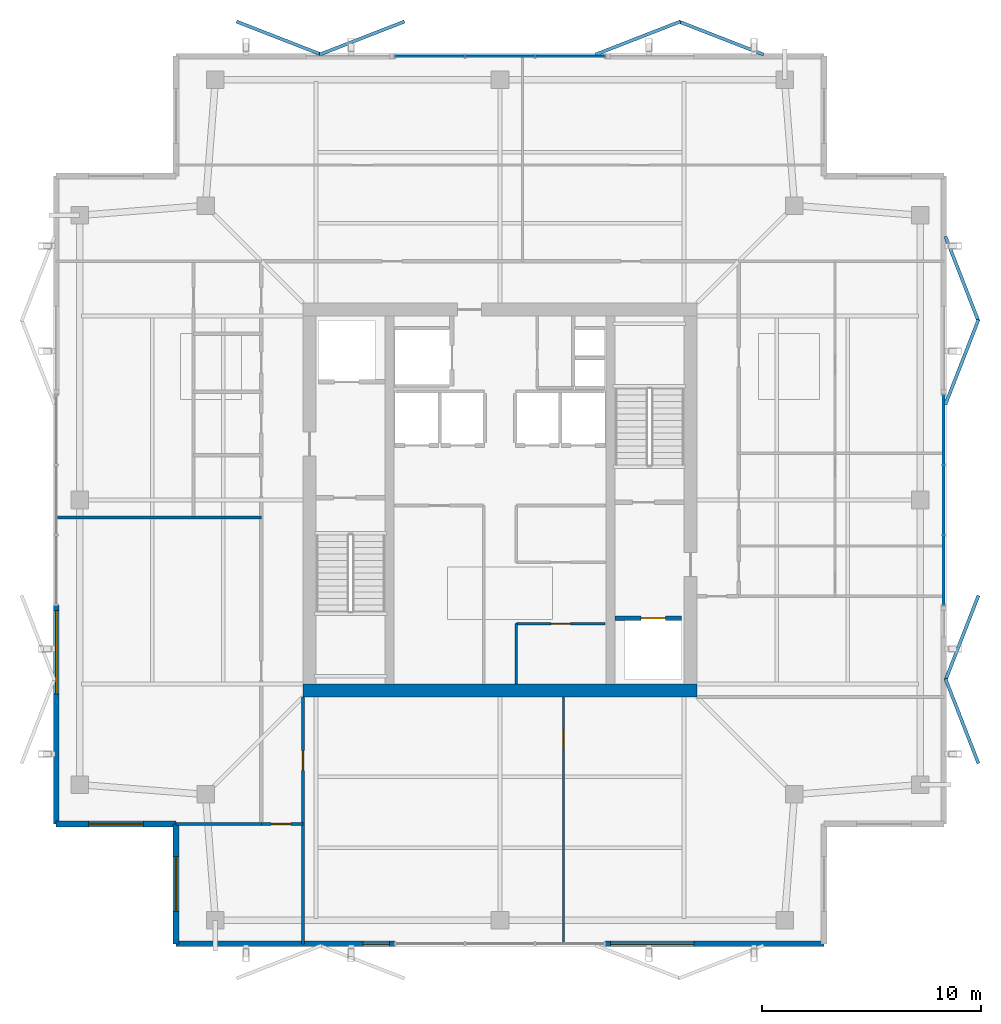
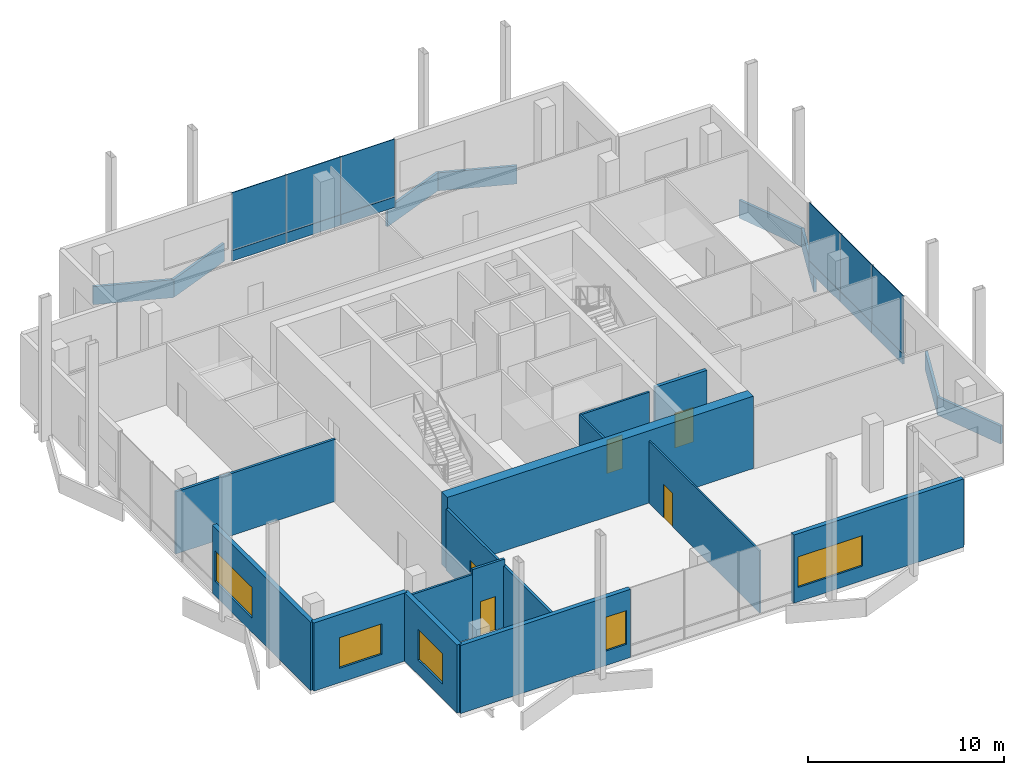
# One storey, part 11 of 15: 20 plates, 14 walls, 5 doors, 5 windows, 10 openings, 2 elements without a shape of their own.
"""IFC4 building model written with IfcOpenShell, lengths in metres."""

from ifc_helpers import new_model, si_unit, direction, frame, frame_2d, origin, origin_2d, place, context, subcontext, project, spatial, rectangle, extrude, material, layer, layer_set, type_object, element, fill, aggregate, save


model = new_model("IFC4")

# Units and contexts
model_context = context("Model", 3, precision=1e-05, world=origin(), true_north=direction((0.0, 1.0)))
body_context = subcontext(model_context, "Body", "Model", "MODEL_VIEW")
ifc_project = project(units=[si_unit("LENGTHUNIT", "METRE"), si_unit("AREAUNIT", "SQUARE_METRE"), si_unit("VOLUMEUNIT", "CUBIC_METRE"), si_unit("PLANEANGLEUNIT", "RADIAN"), si_unit("MASSUNIT", "GRAM", prefix="KILO")], contexts=[model_context])

# Site, building, storey
site_placement = place(None, origin())
site = spatial("IfcSite", under=ifc_project, at=site_placement, CompositionType="ELEMENT")
building_placement = place(site_placement, origin())
building = spatial("IfcBuilding", under=site, at=building_placement, Name="Belovzor Exchange Tower", CompositionType="ELEMENT")
storey_placement = place(building_placement, frame((0.0, 0.0, 360.0)))
storey = spatial("IfcBuildingStorey", under=building, at=storey_placement, Name="L90", CompositionType="ELEMENT", Elevation=360.0)

# Curtain wall, plates
ifc_material_1 = material(Name="Anodised Aluminium Framing", Category="aluminium")
ifc_layer_1 = layer(ifc_material_1, 0.169921875)
ifc_layer_set_1 = layer_set([ifc_layer_1], Name="Anodised Aluminium Framing")
curtain_wall_type = type_object("IfcCurtainWallType", Name="Stepped Crown Faceted Lantern Curtain Wall", PredefinedType="NOTDEFINED", material=ifc_layer_set_1)
curtain_wall_1_placement = place(storey_placement, origin())
curtain_wall_1 = element("IfcCurtainWall", 1, at=curtain_wall_1_placement, inside=storey, type_object=curtain_wall_type, Name="CW6 Stepped Crown Faceted Lantern Curtain Wall L90", PredefinedType="NOTDEFINED")
ifc_material_2 = material(Name="Solar-Control Triple Glazing", Category="glass")
ifc_layer_2 = layer(ifc_material_2, 0.0439453125)
ifc_layer_set_2 = layer_set([ifc_layer_2], Name="Solar-Control Triple Glazing")
plate_type_1 = type_object("IfcPlateType", Name="Insulated Solar Glazing Curtain Panel 44", PredefinedType="CURTAIN_PANEL", material=ifc_layer_set_2)
plate_1_placement = place(storey_placement, frame((25.60009765625, 49.070068359375, 0.652099609375), z_axis=(0.0, 0.0, 1.0), x_axis=(1.0, 0.0, 0.0)))
plate_1 = element("IfcPlate", 2, at=plate_1_placement, type_object=plate_type_1, Name="GLZ-44 Glazed Curtain Panel 1", PredefinedType="CURTAIN_PANEL", context=body_context, shape_type="SweptSolid", body=[
    extrude(rectangle(XDim=3.18408203125, YDim=0.0439453125, at=origin_2d()), origin(), (0.0, 0.0, 1.0), 3.587890625),
])
plate_2_placement = place(storey_placement, frame((28.800048828125, 49.070068359375, 0.652099609375), z_axis=(0.0, 0.0, 1.0), x_axis=(1.0, 0.0, 0.0)))
plate_2 = element("IfcPlate", 3, at=plate_2_placement, type_object=plate_type_1, Name="GLZ-44 Glazed Curtain Panel 2", PredefinedType="CURTAIN_PANEL", context=body_context, shape_type="SweptSolid", body=[
    extrude(rectangle(XDim=3.18408203125, YDim=0.0439453125, at=origin_2d()), origin(), (0.0, 0.0, 1.0), 3.587890625),
])
plate_3_placement = place(storey_placement, frame((32.0, 49.070068359375, 0.652099609375), z_axis=(0.0, 0.0, 1.0), x_axis=(1.0, 0.0, 0.0)))
plate_3 = element("IfcPlate", 4, at=plate_3_placement, type_object=plate_type_1, Name="GLZ-44 Glazed Curtain Panel 3", PredefinedType="CURTAIN_PANEL", context=body_context, shape_type="SweptSolid", body=[
    extrude(rectangle(XDim=3.18408203125, YDim=0.0439453125, at=origin_2d()), origin(), (0.0, 0.0, 1.0), 3.587890625),
])

curtain_wall_2_placement = place(storey_placement, origin())
curtain_wall_2 = element("IfcCurtainWall", 5, at=curtain_wall_2_placement, inside=storey, type_object=curtain_wall_type, Name="CW6 Stepped Crown Faceted Lantern Curtain Wall L90", PredefinedType="NOTDEFINED")
plate_4_placement = place(storey_placement, frame((49.070068359375, 32.0, 0.652099609375), z_axis=(0.0, 0.0, 1.0), x_axis=(0.0, -1.0, 0.0)))
plate_4 = element("IfcPlate", 6, at=plate_4_placement, type_object=plate_type_1, Name="GLZ-44 Glazed Curtain Panel 1", PredefinedType="CURTAIN_PANEL", context=body_context, shape_type="SweptSolid", body=[
    extrude(rectangle(XDim=3.18408203125, YDim=0.0439453125, at=origin_2d()), origin(), (0.0, 0.0, 1.0), 3.587890625),
])
plate_5_placement = place(storey_placement, frame((49.070068359375, 28.800048828125, 0.652099609375), z_axis=(0.0, 0.0, 1.0), x_axis=(0.0, -1.0, 0.0)))
plate_5 = element("IfcPlate", 7, at=plate_5_placement, type_object=plate_type_1, Name="GLZ-44 Glazed Curtain Panel 2", PredefinedType="CURTAIN_PANEL", context=body_context, shape_type="SweptSolid", body=[
    extrude(rectangle(XDim=3.18408203125, YDim=0.0439453125, at=origin_2d()), origin(), (0.0, 0.0, 1.0), 3.587890625),
])
plate_6_placement = place(storey_placement, frame((49.070068359375, 25.60009765625, 0.652099609375), z_axis=(0.0, 0.0, 1.0), x_axis=(0.0, -1.0, 0.0)))
plate_6 = element("IfcPlate", 8, at=plate_6_placement, type_object=plate_type_1, Name="GLZ-44 Glazed Curtain Panel 3", PredefinedType="CURTAIN_PANEL", context=body_context, shape_type="SweptSolid", body=[
    extrude(rectangle(XDim=3.18408203125, YDim=0.0439453125, at=origin_2d()), origin(), (0.0, 0.0, 1.0), 3.587890625),
])

# Plate
ifc_material_3 = material(Name="Extruded Architectural Terracotta", Category="masonry")
ifc_layer_3 = layer(ifc_material_3, 0.090087890625)
ifc_layer_set_3 = layer_set([ifc_layer_3], Name="Extruded Architectural Terracotta")
plate_type_2 = type_object("IfcPlateType", Name="Terracotta Shadow-Box Spandrel Panel 90", PredefinedType="CURTAIN_PANEL", material=ifc_layer_set_3)
plate_7_placement = place(storey_placement, frame((25.60009765625, 49.070068359375, 0.0), z_axis=(0.0, 0.0, 1.0), x_axis=(1.0, 0.0, 0.0)))
plate_7 = element("IfcPlate", 9, at=plate_7_placement, type_object=plate_type_2, Name="SPD-90 Spandrel Panel 1", PredefinedType="CURTAIN_PANEL", context=body_context, shape_type="SweptSolid", body=[
    extrude(rectangle(XDim=3.18408203125, YDim=0.090087890625, at=origin_2d()), origin(), (0.0, 0.0, 1.0), 0.64794921875),
])

plate_8_placement = place(storey_placement, frame((28.800048828125, 49.070068359375, 0.0), z_axis=(0.0, 0.0, 1.0), x_axis=(1.0, 0.0, 0.0)))
plate_8 = element("IfcPlate", 10, at=plate_8_placement, type_object=plate_type_2, Name="SPD-90 Spandrel Panel 2", PredefinedType="CURTAIN_PANEL", context=body_context, shape_type="SweptSolid", body=[
    extrude(rectangle(XDim=3.18408203125, YDim=0.090087890625, at=origin_2d()), origin(), (0.0, 0.0, 1.0), 0.64794921875),
])

plate_9_placement = place(storey_placement, frame((32.0, 49.070068359375, 0.0), z_axis=(0.0, 0.0, 1.0), x_axis=(1.0, 0.0, 0.0)))
plate_9 = element("IfcPlate", 11, at=plate_9_placement, type_object=plate_type_2, Name="SPD-90 Spandrel Panel 3", PredefinedType="CURTAIN_PANEL", context=body_context, shape_type="SweptSolid", body=[
    extrude(rectangle(XDim=3.18408203125, YDim=0.090087890625, at=origin_2d()), origin(), (0.0, 0.0, 1.0), 0.64794921875),
])

aggregate(curtain_wall_1, [plate_7, plate_1, plate_8, plate_2, plate_9, plate_3])

plate_10_placement = place(storey_placement, frame((49.070068359375, 32.0, 0.0), z_axis=(0.0, 0.0, 1.0), x_axis=(0.0, -1.0, 0.0)))
plate_10 = element("IfcPlate", 12, at=plate_10_placement, type_object=plate_type_2, Name="SPD-90 Spandrel Panel 1", PredefinedType="CURTAIN_PANEL", context=body_context, shape_type="SweptSolid", body=[
    extrude(rectangle(XDim=3.18408203125, YDim=0.090087890625, at=origin_2d()), origin(), (0.0, 0.0, 1.0), 0.64794921875),
])

plate_11_placement = place(storey_placement, frame((49.070068359375, 28.800048828125, 0.0), z_axis=(0.0, 0.0, 1.0), x_axis=(0.0, -1.0, 0.0)))
plate_11 = element("IfcPlate", 13, at=plate_11_placement, type_object=plate_type_2, Name="SPD-90 Spandrel Panel 2", PredefinedType="CURTAIN_PANEL", context=body_context, shape_type="SweptSolid", body=[
    extrude(rectangle(XDim=3.18408203125, YDim=0.090087890625, at=origin_2d()), origin(), (0.0, 0.0, 1.0), 0.64794921875),
])

plate_12_placement = place(storey_placement, frame((49.070068359375, 25.60009765625, 0.0), z_axis=(0.0, 0.0, 1.0), x_axis=(0.0, -1.0, 0.0)))
plate_12 = element("IfcPlate", 14, at=plate_12_placement, type_object=plate_type_2, Name="SPD-90 Spandrel Panel 3", PredefinedType="CURTAIN_PANEL", context=body_context, shape_type="SweptSolid", body=[
    extrude(rectangle(XDim=3.18408203125, YDim=0.090087890625, at=origin_2d()), origin(), (0.0, 0.0, 1.0), 0.64794921875),
])

aggregate(curtain_wall_2, [plate_10, plate_4, plate_11, plate_5, plate_12, plate_6])

# Plates
ifc_material_4 = material(Name="Extruded Architectural Terracotta", Category="masonry")
ifc_layer_4 = layer(ifc_material_4, 0.14990234375)
ifc_layer_set_4 = layer_set([ifc_layer_4], Name="Extruded Architectural Terracotta")
plate_type_3 = type_object("IfcPlateType", Name="Upper-Crown Deep Folded Zigzag Terracotta Spandrel Louvre 150", PredefinedType="USERDEFINED", material=ifc_layer_set_4)
for number, where, z_axis, x_axis, name in (
    (15, (18.699951171875, 49.89990234375, -1.10498046875), (0.0, 0.0, 1.0), (0.931817969421, -0.362925986758, 0.0), "LVR-ZZ3 Zigzag Terracotta Spandrel Louvre L90 N1A"),
    (16, (22.5, 49.89990234375, -1.10498046875), (0.0, 0.0, 1.0), (0.931817969421, 0.362925986758, 0.0), "LVR-ZZ3 Zigzag Terracotta Spandrel Louvre L90 N1B"),
    (17, (49.89990234375, 18.699951171875, -1.10498046875), (0.0, 0.0, 1.0), (-0.362925986758, 0.931817969421, 0.0), "LVR-ZZ3 Zigzag Terracotta Spandrel Louvre L90 E1A"),
    (18, (49.89990234375, 22.5, -1.10498046875), (0.0, 0.0, 1.0), (0.362925986758, 0.931817969421, 0.0), "LVR-ZZ3 Zigzag Terracotta Spandrel Louvre L90 E1B"),
    (19, (35.10009765625, 49.89990234375, -1.10498046875), (0.0, 0.0, 1.0), (0.931817969421, 0.362925986758, 0.0), "LVR-ZZ3 Zigzag Terracotta Spandrel Louvre L90 N2A"),
    (20, (38.89990234375, 49.89990234375, -1.10498046875), (0.0, 0.0, 1.0), (0.931817969421, -0.362925986758, 0.0), "LVR-ZZ3 Zigzag Terracotta Spandrel Louvre L90 N2B"),
    (21, (49.89990234375, 35.10009765625, -1.10498046875), (0.0, 0.0, 1.0), (0.362925986758, 0.931817969421, 0.0), "LVR-ZZ3 Zigzag Terracotta Spandrel Louvre L90 E2A"),
    (22, (49.89990234375, 38.89990234375, -1.10498046875), (0.0, 0.0, 1.0), (-0.362925986758, 0.931817969421, 0.0), "LVR-ZZ3 Zigzag Terracotta Spandrel Louvre L90 E2B"),
):
    element("IfcPlate", number, at=place(storey_placement, frame(where, z_axis=z_axis, x_axis=x_axis)), inside=storey, type_object=plate_type_3, Name=name, ObjectType="SPANDREL_LOUVRE", PredefinedType="USERDEFINED", context=body_context, shape_type="SweptSolid", body=[
        extrude(rectangle(XDim=4.157958984375, YDim=0.14990234375, at=origin_2d()), origin(), (0.0, 0.0, 1.0), 1.1201171875),
    ])

# Wall
ifc_material_5 = material(Name="Acoustic Plasterboard on Galvanised Studs", Category="gypsum")
ifc_layer_5 = layer(ifc_material_5, 0.1201171875)
ifc_layer_set_5 = layer_set([ifc_layer_5], Name="Acoustic Plasterboard on Galvanised Studs")
wall_type_1 = type_object("IfcWallType", Name="Acoustic Double-Stud Partition Wall 120", PredefinedType="PARTITIONING", material=ifc_layer_set_5)
wall_1_placement = place(storey_placement, frame((14.0, 14.0, 0.0), z_axis=(0.0, 0.0, 1.0), x_axis=(1.0, 0.0, 0.0)))
element("IfcWall", 23, at=wall_1_placement, inside=storey, type_object=wall_type_1, Name="W-P120 Partition Wall W-L90-SWS", PredefinedType="PARTITIONING", context=body_context, shape_type="SweptSolid", body=[
    extrude(rectangle(XDim=3.89990234375, YDim=0.1201171875, at=frame_2d((1.949951171875, 0.0))), origin(), (0.0, 0.0, 1.0), 3.925048828125),
])

# Wall, opening, door
ifc_material_6 = material(Name="Acoustic Laminated Glass and Aluminium", Category="aluminium")
ifc_layer_6 = layer(ifc_material_6, 0.10009765625)
ifc_layer_set_6 = layer_set([ifc_layer_6], Name="Acoustic Laminated Glass and Aluminium")
wall_type_2 = type_object("IfcWallType", Name="Demountable Executive Glass Partition 100", PredefinedType="MOVABLE", material=ifc_layer_set_6)
wall_2_placement = place(storey_placement, frame((31.699951171875, 8.530029296875, 0.0), z_axis=(0.0, 0.0, 1.0), x_axis=(0.0, 1.0, 0.0)))
wall_2 = element("IfcWall", 24, at=wall_2_placement, inside=storey, type_object=wall_type_2, Name="W-M100 Partition Wall W-L90-SDIV-1", PredefinedType="MOVABLE", context=body_context, shape_type="SweptSolid", body=[
    extrude(rectangle(XDim=11.27001953125, YDim=0.10009765625, at=frame_2d((5.635009765625, 0.0))), origin(), (0.0, 0.0, 1.0), 3.864990234375),
])
opening_1_placement = place(wall_2_placement, frame((8.8701171875, 0.0, 0.0)))
opening_1 = element("IfcOpeningElement", 25, at=opening_1_placement, cuts=wall_2, Name="Opening D-INT-090", PredefinedType="OPENING", context=body_context, shape_type="SweptSolid", body=[
    extrude(rectangle(XDim=0.89990234375, YDim=2.10009765625, at=frame_2d((0.449951171875, 1.050048828125))), frame((0.0, 0.06005859375, 0.0), z_axis=(0.0, -1.0, 0.0), x_axis=(1.0, 0.0, 0.0)), (0.0, 0.0, 1.0), 0.1201171875),
])
ifc_material_7 = material(Name="Veneered Hardwood Acoustic Leaf", Category="wood")
door_type_1 = type_object("IfcDoorType", Name="Trading Suite Acoustic Single Door 900x2100", OperationType="NOTDEFINED", PredefinedType="DOOR", material=ifc_material_7)
door_1_placement = place(opening_1_placement, origin())
door_1 = element("IfcDoor", 26, at=door_1_placement, inside=storey, type_object=door_type_1, Name="D-INT-090 Trading Suite Acoustic Single Door 900x2100", OperationType="SINGLE_SWING_LEFT", OverallHeight=2.10009765625, OverallWidth=0.89990234375, PredefinedType="DOOR", context=body_context, shape_type="SweptSolid", body=[
    extrude(rectangle(XDim=0.89990234375, YDim=2.10009765625, at=frame_2d((0.449951171875, 1.050048828125))), frame((0.0, 0.02490234375, 0.0), z_axis=(0.0, -1.0, 0.0), x_axis=(1.0, 0.0, 0.0)), (0.0, 0.0, 1.0), 0.050048828125),
])
fill(opening_1, door_1)

ifc_material_8 = material(Name="Fire-Rated Plasterboard on Galvanised Studs", Category="gypsum")
ifc_layer_7 = layer(ifc_material_8, 0.1201171875)
ifc_layer_set_7 = layer_set([ifc_layer_7], Name="Fire-Rated Plasterboard on Galvanised Studs")
wall_type_3 = type_object("IfcWallType", Name="Fire-Rated Double-Stud Partition Wall 120", PredefinedType="PARTITIONING", material=ifc_layer_set_7)
wall_3_placement = place(storey_placement, frame((29.550048828125, 23.14990234375, 0.0), z_axis=(0.0, 0.0, 1.0), x_axis=(1.0, 0.0, 0.0)))
wall_3 = element("IfcWall", 27, at=wall_3_placement, inside=storey, type_object=wall_type_3, Name="W-P120F Partition Wall W-CRL-L90-EN", PredefinedType="PARTITIONING", context=body_context, shape_type="SweptSolid", body=[
    extrude(rectangle(XDim=4.050048828125, YDim=0.1201171875, at=frame_2d((2.02490234375, 0.0))), origin(), (0.0, 0.0, 1.0), 4.239990234375),
])
opening_2_placement = place(wall_3_placement, frame((1.574951171875, 0.0, 0.0)))
opening_2 = element("IfcOpeningElement", 28, at=opening_2_placement, cuts=wall_3, Name="Opening D-FD60-090", PredefinedType="OPENING", context=body_context, shape_type="SweptSolid", body=[
    extrude(rectangle(XDim=0.89990234375, YDim=2.10009765625, at=frame_2d((0.449951171875, 1.050048828125))), frame((0.0, 0.070068359375, 0.0), z_axis=(0.0, -1.0, 0.0), x_axis=(1.0, 0.0, 0.0)), (0.0, 0.0, 1.0), 0.14013671875),
])
ifc_material_9 = material(Name="Acoustic Timber Fire Leaf", Category="wood")
door_type_2 = type_object("IfcDoorType", Name="Core Service & Restroom Fire Door 900x2100", OperationType="NOTDEFINED", PredefinedType="DOOR", material=ifc_material_9)
door_2_placement = place(opening_2_placement, origin())
door_2 = element("IfcDoor", 29, at=door_2_placement, inside=storey, type_object=door_type_2, Name="D-FD60-090 Core Service & Restroom Fire Door 900x2100", OperationType="SINGLE_SWING_RIGHT", OverallHeight=2.10009765625, OverallWidth=0.89990234375, PredefinedType="DOOR", context=body_context, shape_type="SweptSolid", body=[
    extrude(rectangle(XDim=0.89990234375, YDim=2.10009765625, at=frame_2d((0.449951171875, 1.050048828125))), frame((0.0, 0.02490234375, 0.0), z_axis=(0.0, -1.0, 0.0), x_axis=(1.0, 0.0, 0.0)), (0.0, 0.0, 1.0), 0.050048828125),
])
fill(opening_2, door_2)

# Walls
wall_4_placement = place(storey_placement, frame((29.550048828125, 20.39990234375, 0.0), z_axis=(0.0, 0.0, 1.0), x_axis=(0.0, 1.0, 0.0)))
element("IfcWall", 30, at=wall_4_placement, inside=storey, type_object=wall_type_3, Name="W-P120F Partition Wall W-CRL-L90-EW", PredefinedType="PARTITIONING", context=body_context, shape_type="SweptSolid", body=[
    extrude(rectangle(XDim=2.75, YDim=0.1201171875, at=frame_2d((1.375, 0.0))), origin(), (0.0, 0.0, 1.0), 4.239990234375),
])
ifc_material_10 = material(Name="Fire-Rated Gypsum Block and Mineral Wool", Category="gypsum")
ifc_layer_8 = layer(ifc_material_10, 0.14990234375)
ifc_layer_set_8 = layer_set([ifc_layer_8], Name="Fire-Rated Gypsum Block and Mineral Wool")
wall_type_4 = type_object("IfcWallType", Name="Fire-Rated Gypsum Block Corridor Wall 150", PredefinedType="PARTITIONING", material=ifc_layer_set_8)
wall_5_placement = place(storey_placement, frame((8.530029296875, 28.0, 0.0), z_axis=(0.0, 0.0, 1.0), x_axis=(1.0, 0.0, 0.0)))
element("IfcWall", 31, at=wall_5_placement, inside=storey, type_object=wall_type_4, Name="W-P150 Partition Wall W-L90-WCS", PredefinedType="PARTITIONING", context=body_context, shape_type="SweptSolid", body=[
    extrude(rectangle(XDim=9.369873046875, YDim=0.14990234375, at=frame_2d((4.68505859375, 0.0))), origin(), (0.0, 0.0, 1.0), 3.864990234375),
])

# Wall, opening, door
wall_6_placement = place(storey_placement, frame((17.89990234375, 14.0, 0.0), z_axis=(0.0, 0.0, 1.0), x_axis=(1.0, 0.0, 0.0)))
wall_6 = element("IfcWall", 32, at=wall_6_placement, inside=storey, type_object=wall_type_4, Name="W-P150 Partition Wall W-L90-CW-END", PredefinedType="PARTITIONING", context=body_context, shape_type="SweptSolid", body=[
    extrude(rectangle(XDim=1.900146484375, YDim=0.14990234375, at=frame_2d((0.9501953125, 0.0))), origin(), (0.0, 0.0, 1.0), 4.239990234375),
])
opening_3_placement = place(wall_6_placement, frame((0.449951171875, 0.0, 0.0)))
opening_3 = element("IfcOpeningElement", 33, at=opening_3_placement, cuts=wall_6, Name="Opening D-FD60-090", PredefinedType="OPENING", context=body_context, shape_type="SweptSolid", body=[
    extrude(rectangle(XDim=0.89990234375, YDim=2.10009765625, at=frame_2d((0.449951171875, 1.050048828125))), frame((0.0, 0.0849609375, 0.0), z_axis=(0.0, -1.0, 0.0), x_axis=(1.0, 0.0, 0.0)), (0.0, 0.0, 1.0), 0.169921875),
])
door_3_placement = place(opening_3_placement, origin())
door_3 = element("IfcDoor", 34, at=door_3_placement, inside=storey, type_object=door_type_2, Name="D-FD60-090 Core Service & Restroom Fire Door 900x2100", OperationType="SINGLE_SWING_LEFT", OverallHeight=2.10009765625, OverallWidth=0.89990234375, PredefinedType="DOOR", context=body_context, shape_type="SweptSolid", body=[
    extrude(rectangle(XDim=0.89990234375, YDim=2.10009765625, at=frame_2d((0.449951171875, 1.050048828125))), frame((0.0, 0.02490234375, 0.0), z_axis=(0.0, -1.0, 0.0), x_axis=(1.0, 0.0, 0.0)), (0.0, 0.0, 1.0), 0.050048828125),
])
fill(opening_3, door_3)

wall_7_placement = place(storey_placement, frame((19.800048828125, 8.530029296875, 0.0), z_axis=(0.0, 0.0, 1.0), x_axis=(0.0, 1.0, 0.0)))
wall_7 = element("IfcWall", 35, at=wall_7_placement, inside=storey, type_object=wall_type_4, Name="W-P150 Partition Wall W-L90-CW-E", PredefinedType="PARTITIONING", context=body_context, shape_type="SweptSolid", body=[
    extrude(rectangle(XDim=11.27001953125, YDim=0.14990234375, at=frame_2d((5.635009765625, 0.0))), origin(), (0.0, 0.0, 1.0), 3.824951171875),
])
opening_4_placement = place(wall_7_placement, frame((7.919921875, 0.0, 0.0)))
opening_4 = element("IfcOpeningElement", 36, at=opening_4_placement, cuts=wall_7, Name="Opening D-FD60-090", PredefinedType="OPENING", context=body_context, shape_type="SweptSolid", body=[
    extrude(rectangle(XDim=0.89990234375, YDim=2.10009765625, at=frame_2d((0.449951171875, 1.050048828125))), frame((0.0, 0.0849609375, 0.0), z_axis=(0.0, -1.0, 0.0), x_axis=(1.0, 0.0, 0.0)), (0.0, 0.0, 1.0), 0.169921875),
])
door_4_placement = place(opening_4_placement, origin())
door_4 = element("IfcDoor", 37, at=door_4_placement, inside=storey, type_object=door_type_2, Name="D-FD60-090 Core Service & Restroom Fire Door 900x2100", OperationType="SINGLE_SWING_RIGHT", OverallHeight=2.10009765625, OverallWidth=0.89990234375, PredefinedType="DOOR", context=body_context, shape_type="SweptSolid", body=[
    extrude(rectangle(XDim=0.89990234375, YDim=2.10009765625, at=frame_2d((0.449951171875, 1.050048828125))), frame((0.0, 0.02490234375, 0.0), z_axis=(0.0, -1.0, 0.0), x_axis=(1.0, 0.0, 0.0)), (0.0, 0.0, 1.0), 0.050048828125),
])
fill(opening_4, door_4)

# Wall, opening, window
ifc_material_11 = material(Name="Precast concrete C40/50", Category="concrete")
ifc_layer_9 = layer(ifc_material_11, 0.280029296875)
ifc_layer_set_9 = layer_set([ifc_layer_9], Name="Precast concrete C40/50")
wall_type_5 = type_object("IfcWallType", Name="Precast Concrete Notched Corner Frame Wall 280", PredefinedType="SOLIDWALL", material=ifc_layer_set_9)
wall_8_placement = place(storey_placement, frame((14.0, 8.530029296875, 0.0), z_axis=(0.0, 0.0, 1.0), x_axis=(0.0, 1.0, 0.0)))
wall_8 = element("IfcWall", 38, at=wall_8_placement, inside=storey, type_object=wall_type_5, Name="W-CRN280 Precast Concrete Notched Corner Frame Wall 280 L90", PredefinedType="SOLIDWALL", context=body_context, shape_type="SweptSolid", body=[
    extrude(rectangle(XDim=5.469970703125, YDim=0.280029296875, at=frame_2d((2.73486328125, 0.0))), origin(), (0.0, 0.0, 1.0), 4.239990234375),
])
opening_5_placement = place(wall_8_placement, frame((1.485107421875, 0.0, 0.89990234375)))
opening_5 = element("IfcOpeningElement", 39, at=opening_5_placement, cuts=wall_8, Name="Opening WN-CRN250", PredefinedType="OPENING", context=body_context, shape_type="SweptSolid", body=[
    extrude(rectangle(XDim=2.5, YDim=1.89990234375, at=frame_2d((1.25, 0.949951171875))), frame((0.0, 0.14990234375, 0.0), z_axis=(0.0, -1.0, 0.0), x_axis=(1.0, 0.0, 0.0)), (0.0, 0.0, 1.0), 0.300048828125),
])
ifc_material_12 = material(Name="Thermally Broken Aluminium and Triple Glazing", Category="aluminium")
window_type_1 = type_object("IfcWindowType", Name="Streamline Moderne Corner Wrap Ribbon Window 2500x1900", PartitioningType="SINGLE_PANEL", PredefinedType="WINDOW", material=ifc_material_12)
window_1_placement = place(opening_5_placement, origin())
window_1 = element("IfcWindow", 40, at=window_1_placement, inside=storey, type_object=window_type_1, Name="WN-CRN250 Streamline Moderne Corner Wrap Ribbon Window 2500x1900", OverallHeight=1.89990234375, OverallWidth=2.5, PartitioningType="SINGLE_PANEL", PredefinedType="WINDOW", context=body_context, shape_type="SweptSolid", body=[
    extrude(rectangle(XDim=2.5, YDim=1.89990234375, at=frame_2d((1.25, 0.949951171875))), frame((0.0, 0.030029296875, 0.0), z_axis=(0.0, -1.0, 0.0), x_axis=(1.0, 0.0, 0.0)), (0.0, 0.0, 1.0), 0.06005859375),
])
fill(opening_5, window_1)

wall_9_placement = place(storey_placement, frame((14.0, 14.0, 0.0), z_axis=(0.0, 0.0, 1.0), x_axis=(-1.0, 0.0, 0.0)))
wall_9 = element("IfcWall", 41, at=wall_9_placement, inside=storey, type_object=wall_type_5, Name="W-CRN280 Precast Concrete Notched Corner Frame Wall 280 L90", PredefinedType="SOLIDWALL", context=body_context, shape_type="SweptSolid", body=[
    extrude(rectangle(XDim=5.469970703125, YDim=0.280029296875, at=frame_2d((2.73486328125, 0.0))), origin(), (0.0, 0.0, 1.0), 4.239990234375),
])
opening_6_placement = place(wall_9_placement, frame((1.485107421875, 0.0, 0.89990234375)))
opening_6 = element("IfcOpeningElement", 42, at=opening_6_placement, cuts=wall_9, Name="Opening WN-CRN250", PredefinedType="OPENING", context=body_context, shape_type="SweptSolid", body=[
    extrude(rectangle(XDim=2.5, YDim=1.89990234375, at=frame_2d((1.25, 0.949951171875))), frame((0.0, 0.14990234375, 0.0), z_axis=(0.0, -1.0, 0.0), x_axis=(1.0, 0.0, 0.0)), (0.0, 0.0, 1.0), 0.300048828125),
])
window_2_placement = place(opening_6_placement, origin())
window_2 = element("IfcWindow", 43, at=window_2_placement, inside=storey, type_object=window_type_1, Name="WN-CRN250 Streamline Moderne Corner Wrap Ribbon Window 2500x1900", OverallHeight=1.89990234375, OverallWidth=2.5, PartitioningType="SINGLE_PANEL", PredefinedType="WINDOW", context=body_context, shape_type="SweptSolid", body=[
    extrude(rectangle(XDim=2.5, YDim=1.89990234375, at=frame_2d((1.25, 0.949951171875))), frame((0.0, 0.030029296875, 0.0), z_axis=(0.0, -1.0, 0.0), x_axis=(1.0, 0.0, 0.0)), (0.0, 0.0, 1.0), 0.06005859375),
])
fill(opening_6, window_2)

ifc_material_13 = material(Name="Precast concrete C40/50", Category="concrete")
ifc_layer_10 = layer(ifc_material_13, 0.260009765625)
ifc_layer_set_10 = layer_set([ifc_layer_10], Name="Precast concrete C40/50")
wall_type_6 = type_object("IfcWallType", Name="Precast Concrete Perimeter Loggia Frame Wall 260", PredefinedType="SOLIDWALL", material=ifc_layer_set_10)
wall_10_placement = place(storey_placement, frame((43.60009765625, 8.530029296875, 0.0), z_axis=(0.0, 0.0, 1.0), x_axis=(-1.0, 0.0, 0.0)))
wall_10 = element("IfcWall", 44, at=wall_10_placement, inside=storey, type_object=wall_type_6, Name="W-EXT260 Precast Concrete Perimeter Loggia Frame Wall 260 L90", PredefinedType="SOLIDWALL", context=body_context, shape_type="SweptSolid", body=[
    extrude(rectangle(XDim=10.0, YDim=0.260009765625, at=frame_2d((5.0, 0.0))), origin(), (0.0, 0.0, 1.0), 4.239990234375),
])
opening_7_placement = place(wall_10_placement, frame((5.949951171875, 0.0, 0.89990234375)))
opening_7 = element("IfcOpeningElement", 45, at=opening_7_placement, cuts=wall_10, Name="Opening WN-RIB380", PredefinedType="OPENING", context=body_context, shape_type="SweptSolid", body=[
    extrude(rectangle(XDim=3.800048828125, YDim=1.89990234375, at=frame_2d((1.89990234375, 0.949951171875))), frame((0.0, 0.139892578125, 0.0), z_axis=(0.0, -1.0, 0.0), x_axis=(1.0, 0.0, 0.0)), (0.0, 0.0, 1.0), 0.280029296875),
])
ifc_material_14 = material(Name="Thermally Broken Aluminium and Triple Glazing", Category="aluminium")
window_type_2 = type_object("IfcWindowType", Name="Streamline Moderne Horizontal Ribbon Window 3800x1900", PartitioningType="SINGLE_PANEL", PredefinedType="WINDOW", material=ifc_material_14)
window_3_placement = place(opening_7_placement, origin())
window_3 = element("IfcWindow", 46, at=window_3_placement, inside=storey, type_object=window_type_2, Name="WN-RIB380 Streamline Moderne Horizontal Ribbon Window 3800x1900", OverallHeight=1.89990234375, OverallWidth=3.800048828125, PartitioningType="SINGLE_PANEL", PredefinedType="WINDOW", context=body_context, shape_type="SweptSolid", body=[
    extrude(rectangle(XDim=3.800048828125, YDim=1.89990234375, at=frame_2d((1.89990234375, 0.949951171875))), frame((0.0, 0.030029296875, 0.0), z_axis=(0.0, -1.0, 0.0), x_axis=(1.0, 0.0, 0.0)), (0.0, 0.0, 1.0), 0.06005859375),
])
fill(opening_7, window_3)

wall_11_placement = place(storey_placement, frame((24.0, 8.530029296875, 0.0), z_axis=(0.0, 0.0, 1.0), x_axis=(-1.0, 0.0, 0.0)))
wall_11 = element("IfcWall", 47, at=wall_11_placement, inside=storey, type_object=wall_type_6, Name="W-EXT260 Precast Concrete Perimeter Loggia Frame Wall 260 L90", PredefinedType="SOLIDWALL", context=body_context, shape_type="SweptSolid", body=[
    extrude(rectangle(XDim=10.0, YDim=0.260009765625, at=frame_2d((5.0, 0.0))), origin(), (0.0, 0.0, 1.0), 4.239990234375),
])
opening_8_placement = place(wall_11_placement, frame((0.25, 0.0, 0.89990234375)))
opening_8 = element("IfcOpeningElement", 48, at=opening_8_placement, cuts=wall_11, Name="Opening WN-CRN120", PredefinedType="OPENING", context=body_context, shape_type="SweptSolid", body=[
    extrude(rectangle(XDim=1.199951171875, YDim=2.10009765625, at=frame_2d((0.60009765625, 1.050048828125))), frame((0.0, 0.139892578125, 0.0), z_axis=(0.0, -1.0, 0.0), x_axis=(1.0, 0.0, 0.0)), (0.0, 0.0, 1.0), 0.280029296875),
])
ifc_material_15 = material(Name="Thermally Broken Aluminium and Triple Glazing", Category="aluminium")
window_type_3 = type_object("IfcWindowType", Name="Streamline Notched Corner Window 1200x2100", PartitioningType="SINGLE_PANEL", PredefinedType="WINDOW", material=ifc_material_15)
window_4_placement = place(opening_8_placement, origin())
window_4 = element("IfcWindow", 49, at=window_4_placement, inside=storey, type_object=window_type_3, Name="WN-CRN120 Streamline Notched Corner Window 1200x2100", OverallHeight=2.10009765625, OverallWidth=1.199951171875, PartitioningType="SINGLE_PANEL", PredefinedType="WINDOW", context=body_context, shape_type="SweptSolid", body=[
    extrude(rectangle(XDim=1.199951171875, YDim=2.10009765625, at=frame_2d((0.60009765625, 1.050048828125))), frame((0.0, 0.030029296875, 0.0), z_axis=(0.0, -1.0, 0.0), x_axis=(1.0, 0.0, 0.0)), (0.0, 0.0, 1.0), 0.06005859375),
])
fill(opening_8, window_4)

wall_12_placement = place(storey_placement, frame((8.530029296875, 14.0, 0.0), z_axis=(0.0, 0.0, 1.0), x_axis=(0.0, 1.0, 0.0)))
wall_12 = element("IfcWall", 50, at=wall_12_placement, inside=storey, type_object=wall_type_6, Name="W-EXT260 Precast Concrete Perimeter Loggia Frame Wall 260 L90", PredefinedType="SOLIDWALL", context=body_context, shape_type="SweptSolid", body=[
    extrude(rectangle(XDim=10.0, YDim=0.260009765625, at=frame_2d((5.0, 0.0))), origin(), (0.0, 0.0, 1.0), 4.239990234375),
])
opening_9_placement = place(wall_12_placement, frame((5.949951171875, 0.0, 0.89990234375)))
opening_9 = element("IfcOpeningElement", 51, at=opening_9_placement, cuts=wall_12, Name="Opening WN-RIB380", PredefinedType="OPENING", context=body_context, shape_type="SweptSolid", body=[
    extrude(rectangle(XDim=3.800048828125, YDim=1.89990234375, at=frame_2d((1.89990234375, 0.949951171875))), frame((0.0, 0.139892578125, 0.0), z_axis=(0.0, -1.0, 0.0), x_axis=(1.0, 0.0, 0.0)), (0.0, 0.0, 1.0), 0.280029296875),
])
window_5_placement = place(opening_9_placement, origin())
window_5 = element("IfcWindow", 52, at=window_5_placement, inside=storey, type_object=window_type_2, Name="WN-RIB380 Streamline Moderne Horizontal Ribbon Window 3800x1900", OverallHeight=1.89990234375, OverallWidth=3.800048828125, PartitioningType="SINGLE_PANEL", PredefinedType="WINDOW", context=body_context, shape_type="SweptSolid", body=[
    extrude(rectangle(XDim=3.800048828125, YDim=1.89990234375, at=frame_2d((1.89990234375, 0.949951171875))), frame((0.0, 0.030029296875, 0.0), z_axis=(0.0, -1.0, 0.0), x_axis=(1.0, 0.0, 0.0)), (0.0, 0.0, 1.0), 0.06005859375),
])
fill(opening_9, window_5)

# Wall, opening, door
ifc_material_16 = material(Name="Concrete C50/60", Category="concrete")
ifc_layer_11 = layer(ifc_material_16, 0.199951171875)
ifc_layer_set_11 = layer_set([ifc_layer_11], Name="Concrete C50/60")
wall_type_7 = type_object("IfcWallType", Name="Reinforced Concrete Core Shaft Shear Wall 200", PredefinedType="SHEAR", material=ifc_layer_set_11)
wall_13_placement = place(storey_placement, frame((34.050048828125, 23.39990234375, 0.0), z_axis=(0.0, 0.0, 1.0), x_axis=(1.0, 0.0, 0.0)))
wall_13 = element("IfcWall", 53, at=wall_13_placement, inside=storey, type_object=wall_type_7, Name="W-C200S Core Shaft Wall W-SH-L90-FFL-02", PredefinedType="SHEAR", context=body_context, shape_type="SweptSolid", body=[
    extrude(rectangle(XDim=3.050048828125, YDim=0.199951171875, at=frame_2d((1.52490234375, 0.0))), origin(), (0.0, 0.0, 1.0), 4.239990234375),
])
opening_10_placement = place(wall_13_placement, frame((1.199951171875, 0.0, 0.0)))
opening_10 = element("IfcOpeningElement", 54, at=opening_10_placement, cuts=wall_13, Name="Opening LD-110", PredefinedType="OPENING", context=body_context, shape_type="SweptSolid", body=[
    extrude(rectangle(XDim=1.10009765625, YDim=2.14990234375, at=frame_2d((0.550048828125, 1.074951171875))), frame((0.0, 0.10986328125, 0.0), z_axis=(0.0, -1.0, 0.0), x_axis=(1.0, 0.0, 0.0)), (0.0, 0.0, 1.0), 0.219970703125),
])
ifc_material_17 = material(Name="Stainless Steel Grade 304", Category="steel")
door_type_3 = type_object("IfcDoorType", Name="Automated Stainless Steel Lift Landing Door 1100x2150", OperationType="SLIDING_TO_RIGHT", PredefinedType="DOOR", material=ifc_material_17)
door_5_placement = place(opening_10_placement, origin())
door_5 = element("IfcDoor", 55, at=door_5_placement, inside=storey, type_object=door_type_3, Name="LD-110 Automated Stainless Steel Lift Landing Door 1100x2150", OperationType="SLIDING_TO_RIGHT", OverallHeight=2.14990234375, OverallWidth=1.10009765625, PredefinedType="DOOR", context=body_context, shape_type="SweptSolid", body=[
    extrude(rectangle(XDim=1.10009765625, YDim=2.14990234375, at=frame_2d((0.550048828125, 1.074951171875))), frame((0.0, 0.02490234375, 0.0), z_axis=(0.0, -1.0, 0.0), x_axis=(1.0, 0.0, 0.0)), (0.0, 0.0, 1.0), 0.050048828125),
])
fill(opening_10, door_5)

# Wall
ifc_material_18 = material(Name="Concrete C50/60", Category="concrete")
ifc_layer_12 = layer(ifc_material_18, 0.60009765625)
ifc_layer_set_12 = layer_set([ifc_layer_12], Name="Concrete C50/60")
wall_type_8 = type_object("IfcWallType", Name="Reinforced Concrete Core Shear Wall 600", PredefinedType="SHEAR", material=ifc_layer_set_12)
wall_14_placement = place(storey_placement, frame((19.800048828125, 20.10009765625, 0.0), z_axis=(0.0, 0.0, 1.0), x_axis=(1.0, 0.0, 0.0)))
element("IfcWall", 56, at=wall_14_placement, inside=storey, type_object=wall_type_8, Name="CW-S060 Core Shear Wall L90 S", PredefinedType="SHEAR", context=body_context, shape_type="SweptSolid", body=[
    extrude(rectangle(XDim=18.0, YDim=0.60009765625, at=frame_2d((9.0, 0.0))), origin(), (0.0, 0.0, 1.0), 4.5),
])

save(model, "model.ifc")
